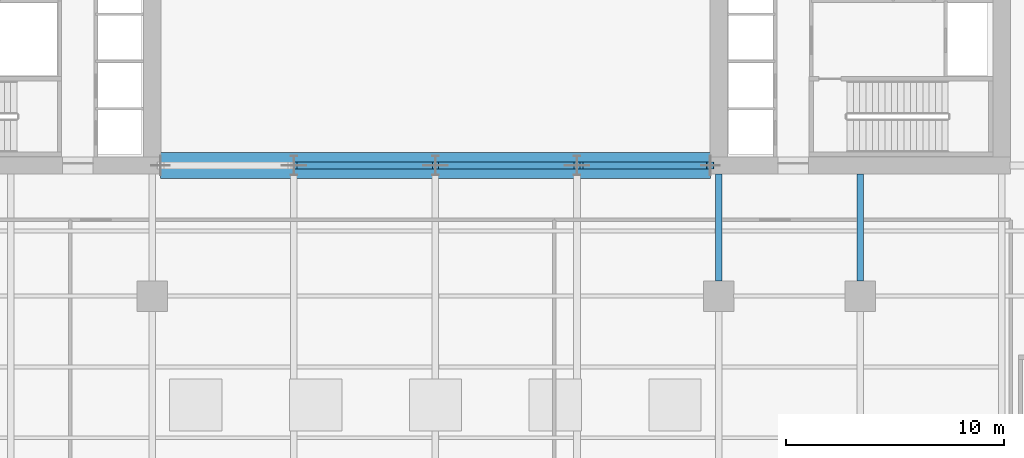
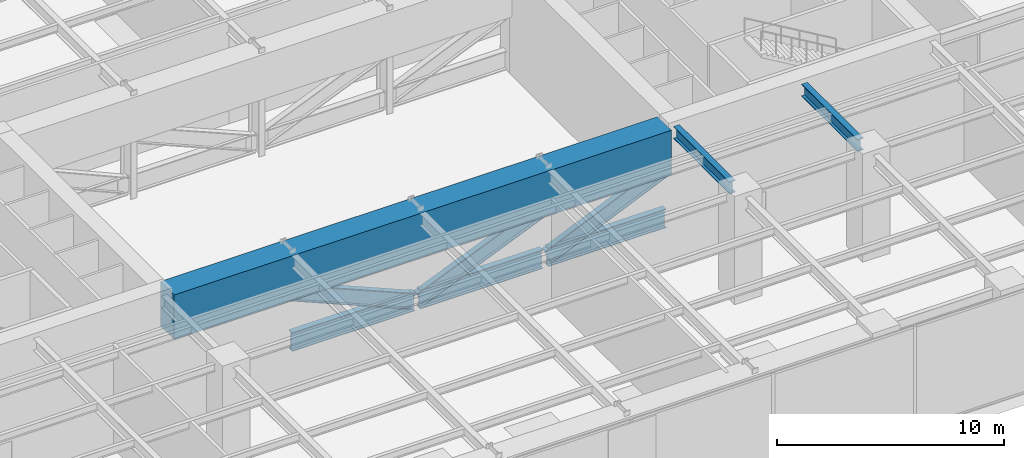
# One storey, part 8 of 25: 6 beams, 3 members.
"""IFC4 building model written with IfcOpenShell, lengths in metres."""

from ifc_helpers import new_model, si_unit, direction, frame, origin, origin_2d, place, context, subcontext, project, spatial, rectangle, i_section, extrude, material, material_profile, profile_set, type_object, element, save


model = new_model("IFC4")

# Units and contexts
model_context = context("Model", 3, precision=1e-05, world=origin(), true_north=direction((0.0, 1.0)))
body_context = subcontext(model_context, "Body", "Model", "MODEL_VIEW")
ifc_project = project(units=[si_unit("LENGTHUNIT", "METRE"), si_unit("AREAUNIT", "SQUARE_METRE"), si_unit("VOLUMEUNIT", "CUBIC_METRE"), si_unit("PLANEANGLEUNIT", "RADIAN"), si_unit("MASSUNIT", "GRAM", prefix="KILO")], contexts=[model_context])

# Site, building, storey
site_placement = place(None, origin())
site = spatial("IfcSite", under=ifc_project, at=site_placement, CompositionType="ELEMENT")
building_placement = place(site_placement, origin())
building = spatial("IfcBuilding", under=site, at=building_placement, Name="Putna Gate Headquarters", CompositionType="ELEMENT")
storey_placement = place(building_placement, frame((0.0, 0.0, 22.0)))
storey = spatial("IfcBuildingStorey", under=building, at=storey_placement, Name="L04", CompositionType="ELEMENT", Elevation=22.0)

# Beams
ifc_material_1 = material(Name="Steel S355J2", Category="steel")
ifc_material_profile_1 = material_profile(ifc_material_1, i_section(OverallWidth=0.300048828125, OverallDepth=0.64990234375, WebThickness=0.01611328125, FlangeThickness=0.031005859375, at=origin_2d()), Name="Steel S355J2")
ifc_profile_set_1 = profile_set([ifc_material_profile_1], Name="Steel S355J2")
beam_type_1 = type_object("IfcBeamType", Name="BM-GIRD-Z1-HEB650", PredefinedType="USERDEFINED", material=ifc_profile_set_1)
for number, where, z_axis, x_axis, name in (
    (1, (52.0, 13.68798828125, 5.22509765625), (0.0, 1.0, 0.0), (-1.0, 0.0, 0.0), "L04 South Primary Girder X52-2"),
    (2, (58.5, 13.68798828125, 5.22509765625), (0.0, 1.0, 0.0), (-1.0, 0.0, 0.0), "L04 South Primary Girder X58-2"),
):
    element("IfcBeam", number, at=place(storey_placement, frame(where, z_axis=z_axis, x_axis=x_axis)), inside=storey, type_object=beam_type_1, Name=name, ObjectType="GIRDER", PredefinedType="USERDEFINED", context=body_context, shape_type="SweptSolid", body=[
        extrude(i_section(OverallWidth=0.300048828125, OverallDepth=0.64990234375, WebThickness=0.01611328125, FlangeThickness=0.031005859375, at=origin_2d()), origin(), (0.0, 0.0, 1.0), 4.927001953125),
    ])
ifc_material_2 = material(Name="Steel S460M", Category="steel")
ifc_material_profile_2 = material_profile(ifc_material_2, i_section(OverallWidth=0.302001953125, OverallDepth=1.008056640625, WebThickness=0.02099609375, FlangeThickness=0.0400390625, at=origin_2d()), Name="Steel S460M")
ifc_profile_set_2 = profile_set([ifc_material_profile_2], Name="Steel S460M")
beam_type_2 = type_object("IfcBeamType", Name="BM-TG-HEM1000", PredefinedType="USERDEFINED", material=ifc_profile_set_2)
for number, where, z_axis, x_axis, name in (
    (3, (32.639892578125, 19.0, 0.550048828125), (1.0, 0.0, 0.0), (0.0, 1.0, 0.0), "L04 Transfer Truss AS Bottom Chord Girder 2"),
    (4, (39.139892578125, 19.0, 0.550048828125), (1.0, 0.0, 0.0), (0.0, 1.0, 0.0), "L04 Transfer Truss AS Bottom Chord Girder 3"),
):
    element("IfcBeam", number, at=place(storey_placement, frame(where, z_axis=z_axis, x_axis=x_axis)), inside=storey, type_object=beam_type_2, Name=name, ObjectType="GIRDER", PredefinedType="USERDEFINED", context=body_context, shape_type="SweptSolid", body=[
        extrude(i_section(OverallWidth=0.302001953125, OverallDepth=1.008056640625, WebThickness=0.02099609375, FlangeThickness=0.0400390625, at=origin_2d()), origin(), (0.0, 0.0, 1.0), 6.22021484375),
    ])
beam_1_placement = place(storey_placement, frame((45.639892578125, 19.0, 0.550048828125), z_axis=(1.0, 0.0, 0.0), x_axis=(0.0, 1.0, 0.0)))
element("IfcBeam", 5, at=beam_1_placement, inside=storey, type_object=beam_type_2, Name="L04 Transfer Truss AS Bottom Chord Girder 4", ObjectType="GIRDER", PredefinedType="USERDEFINED", context=body_context, shape_type="SweptSolid", body=[
    extrude(i_section(OverallWidth=0.302001953125, OverallDepth=1.008056640625, WebThickness=0.02099609375, FlangeThickness=0.0400390625, at=origin_2d()), origin(), (0.0, 0.0, 1.0), 5.980224609375),
])
ifc_material_3 = material(Name="Concrete C50/60", Category="concrete")
ifc_material_profile_3 = material_profile(ifc_material_3, rectangle(XDim=1.199951171875, YDim=2.39990234375, at=origin_2d()), Name="Concrete C50/60")
ifc_profile_set_3 = profile_set([ifc_material_profile_3], Name="Concrete C50/60")
beam_type_3 = type_object("IfcBeamType", Name="BM-TG-RC2400", PredefinedType="USERDEFINED", material=ifc_profile_set_3)
beam_2_placement = place(storey_placement, frame((26.3798828125, 19.0, 4.35009765625), z_axis=(1.0, 0.0, 0.0), x_axis=(0.0, 1.0, 0.0)))
element("IfcBeam", 6, at=beam_2_placement, inside=storey, type_object=beam_type_3, Name="L04 Upper Transfer Girder AS", ObjectType="GIRDER", PredefinedType="USERDEFINED", context=body_context, shape_type="SweptSolid", body=[
    extrude(rectangle(XDim=1.199951171875, YDim=2.39990234375, at=origin_2d()), origin(), (0.0, 0.0, 1.0), 25.240234375),
])

# Members
ifc_material_profile_4 = material_profile(ifc_material_2, i_section(OverallWidth=0.302978515625, OverallDepth=0.81396484375, WebThickness=0.02099609375, FlangeThickness=0.0400390625, at=origin_2d()), Name="Steel S460M")
ifc_profile_set_4 = profile_set([ifc_material_profile_4], Name="Steel S460M")
member_type = type_object("IfcMemberType", Name="MEM-TRUSS-DIAG-HEM800", PredefinedType="BRACE", material=ifc_profile_set_4)
for number, where, z_axis, x_axis, name in (
    (7, (32.639892578125, 19.0, 3.179931640625), (0.921060029632, 0.0, -0.389420623251), (0.0, 1.0, 0.0), "L04 Transfer Truss AS Diagonal 2"),
    (8, (39.139892578125, 19.0, 0.550048828125), (0.921060029632, 0.0, 0.389420623251), (0.0, 1.0, 0.0), "L04 Transfer Truss AS Diagonal 3"),
):
    element("IfcMember", number, at=place(storey_placement, frame(where, z_axis=z_axis, x_axis=x_axis)), inside=storey, type_object=member_type, Name=name, PredefinedType="BRACE", context=body_context, shape_type="SweptSolid", body=[
        extrude(i_section(OverallWidth=0.302978515625, OverallDepth=0.81396484375, WebThickness=0.02099609375, FlangeThickness=0.0400390625, at=origin_2d()), origin(), (0.0, 0.0, 1.0), 6.75341796875),
    ])
member_placement = place(storey_placement, frame((45.639892578125, 19.0, 0.550048828125), z_axis=(0.915394915537, 0.0, 0.402557012867), x_axis=(0.0, 1.0, 0.0)))
element("IfcMember", 9, at=member_placement, inside=storey, type_object=member_type, Name="L04 Transfer Truss AS Diagonal 4", PredefinedType="BRACE", context=body_context, shape_type="SweptSolid", body=[
    extrude(i_section(OverallWidth=0.302978515625, OverallDepth=0.81396484375, WebThickness=0.02099609375, FlangeThickness=0.0400390625, at=origin_2d()), origin(), (0.0, 0.0, 1.0), 6.532958984375),
])

save(model, "model.ifc")
